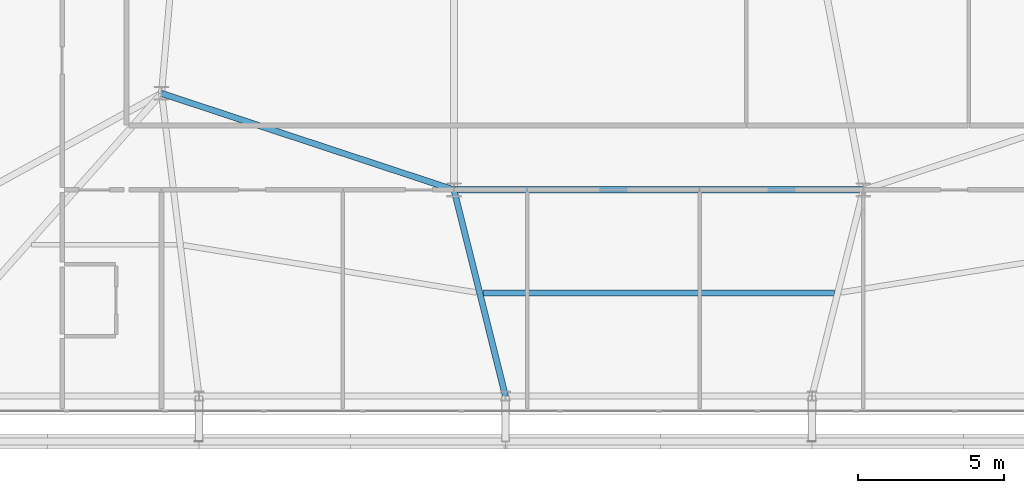
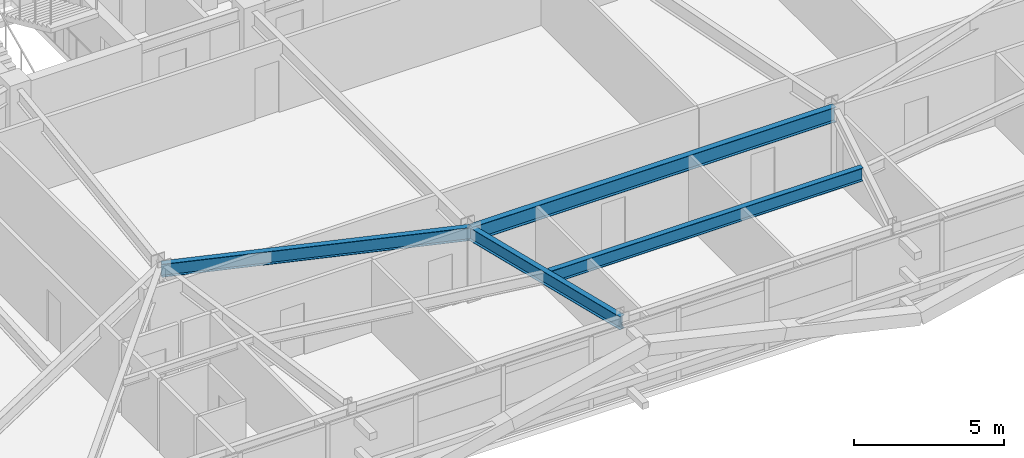
# One storey, part 13 of 58: 4 beams.
"""IFC4 building model written with IfcOpenShell, lengths in metres."""

import ifcopenshell
import ifcopenshell.guid

model = None  # the IFC model being written
_history = None  # IfcOwnerHistory: only IFC2X3 demands one
_inside = {}  # id of a spatial element -> (the spatial element, [elements in it])
_under = {}  # id of a project, library or spatial element -> (it, [spatial elements below it])
_declared = {}  # id of a project -> (the project, [libraries it declares])
_typed = {}  # id of a type object -> (the type object, [elements of that type])
_made_of = {}  # id of a material, layer set ... -> (it, [elements and type objects made of it])


def new_model(schema):
    """Start an empty IFC model of exactly this schema.

    Asked for "IFC4X3", IfcOpenShell would pick the latest addendum, in which some entities
    have other attributes; the version numbers below select the first issue.
    IFC2X3 requires an IfcOwnerHistory on every rooted entity: one is made here for all.
    """
    global model, _history
    if schema == "IFC4X3":
        model = ifcopenshell.file(schema_version=(4, 3, 0, 0))
    else:
        model = ifcopenshell.file(schema=schema)
    _inside.clear()
    _under.clear()
    _declared.clear()
    _typed.clear()
    _made_of.clear()
    _history = None
    if model.schema == "IFC2X3":
        org = make("IfcOrganization", Name="unknown")
        user = make(
            "IfcPersonAndOrganization",
            ThePerson=make("IfcPerson", FamilyName="unknown"),
            TheOrganization=org,
        )
        app = make(
            "IfcApplication",
            ApplicationDeveloper=org,
            Version="unknown",
            ApplicationFullName="unknown",
            ApplicationIdentifier="unknown",
        )
        _history = make(
            "IfcOwnerHistory",
            OwningUser=user,
            OwningApplication=app,
            ChangeAction="ADDED",
            CreationDate=0,
        )
    return model


def make(cls, **values):
    """One entity of the class cls with the attributes given. An attribute that is None is left unset."""
    return model.create_entity(
        cls, **{name: value for name, value in values.items() if value is not None}
    )


def rooted(cls, **values):
    """An entity with a GlobalId (a new one), such as an element, a storey or a relation."""
    return make(cls, GlobalId=ifcopenshell.guid.new(), OwnerHistory=_history, **values)


def si_unit(unit_type, name, prefix=None):
    """IfcSIUnit, for example si_unit("LENGTHUNIT", "METRE", prefix="MILLI")."""
    return make("IfcSIUnit", UnitType=unit_type, Prefix=prefix, Name=name)


def assignment(units):
    """IfcUnitAssignment: the units of a project."""
    return None if units is None else make("IfcUnitAssignment", Units=units)


def point(xyz):
    """IfcCartesianPoint."""
    return None if xyz is None else make("IfcCartesianPoint", Coordinates=xyz)


def direction(xyz):
    """IfcDirection."""
    return None if xyz is None else make("IfcDirection", DirectionRatios=xyz)


def frame(location, z_axis=None, x_axis=None):
    """IfcAxis2Placement3D, a coordinate frame: its origin and axes. An axis left out is left unset."""
    return make(
        "IfcAxis2Placement3D",
        Location=point(location),
        Axis=direction(z_axis),
        RefDirection=direction(x_axis),
    )


def frame_2d(location, x_axis=None):
    """IfcAxis2Placement2D, a coordinate frame in the plane: its origin and x axis."""
    return make(
        "IfcAxis2Placement2D", Location=point(location), RefDirection=direction(x_axis)
    )


def origin():
    """The frame at (0, 0, 0) with its axes left unset."""
    return frame((0.0, 0.0, 0.0))


def origin_2d():
    """The frame at (0, 0) in the plane with its x axis left unset."""
    return frame_2d((0.0, 0.0))


def place(relative_to, where):
    """IfcLocalPlacement: puts the frame where relative to a parent placement (None: the world)."""
    return make(
        "IfcLocalPlacement", PlacementRelTo=relative_to, RelativePlacement=where
    )


def context(
    kind, dimensions, precision=None, world=None, true_north=None, identifier=None
):
    """IfcGeometricRepresentationContext, for example the 3D "Model" context."""
    return make(
        "IfcGeometricRepresentationContext",
        ContextIdentifier=identifier,
        ContextType=kind,
        CoordinateSpaceDimension=dimensions,
        Precision=precision,
        WorldCoordinateSystem=world,
        TrueNorth=true_north,
    )


def subcontext(parent, identifier, kind, view, scale=None):
    """IfcGeometricRepresentationSubContext, for example "Body" below "Model"."""
    return make(
        "IfcGeometricRepresentationSubContext",
        ContextIdentifier=identifier,
        ContextType=kind,
        ParentContext=parent,
        TargetScale=scale,
        TargetView=view,
    )


def project(units=None, contexts=None):
    """IfcProject with its units and contexts."""
    return rooted(
        "IfcProject",
        Name="project",
        RepresentationContexts=contexts,
        UnitsInContext=assignment(units),
    )


def spatial(cls, under=None, at=None, **own):
    """A site, building, storey or space (cls), placed at a placement, below another one or the project."""
    s = rooted(cls, ObjectPlacement=at, **own)
    if under is not None:
        _under.setdefault(under.id(), (under, []))[1].append(s)
    return s


def profile(cls, at=None, kind="AREA", **sizes):
    """A parametric profile (cls). Its sizes go by their IFC names, for example OverallWidth=200.0."""
    return make(cls, ProfileType=kind, Position=at, **sizes)


def i_section(**sizes):
    """IfcIShapeProfileDef."""
    return profile("IfcIShapeProfileDef", **sizes)


def extrude(swept, where, along, depth):
    """IfcExtrudedAreaSolid: the profile swept, set in the frame where, extruded along a direction by depth."""
    return make(
        "IfcExtrudedAreaSolid",
        SweptArea=swept,
        Position=where,
        ExtrudedDirection=direction(along),
        Depth=depth,
    )


def shape(context_of_items, identifier, shape_type, items):
    """IfcShapeRepresentation: the items that make up one representation, for example the "Body"."""
    return make(
        "IfcShapeRepresentation",
        ContextOfItems=context_of_items,
        RepresentationIdentifier=identifier,
        RepresentationType=shape_type,
        Items=items,
    )


def source(mapping_origin, context_of_items, identifier, shape_type, items):
    """IfcRepresentationMap: a shape defined once, which mapped items show again and again."""
    return make(
        "IfcRepresentationMap",
        MappingOrigin=mapping_origin,
        MappedRepresentation=shape(context_of_items, identifier, shape_type, items),
    )


def transform(
    local_origin,
    x_axis=None,
    y_axis=None,
    z_axis=None,
    scale=None,
    scale2=None,
    scale3=None,
    uniform=True,
):
    """IfcCartesianTransformationOperator3D, or its non-uniform kind. x_axis, y_axis, z_axis: its Axis1, 2, 3."""
    if uniform:
        return make(
            "IfcCartesianTransformationOperator3D",
            Axis1=direction(x_axis),
            Axis2=direction(y_axis),
            LocalOrigin=point(local_origin),
            Scale=scale,
            Axis3=direction(z_axis),
        )
    return make(
        "IfcCartesianTransformationOperator3DnonUniform",
        Axis1=direction(x_axis),
        Axis2=direction(y_axis),
        LocalOrigin=point(local_origin),
        Scale=scale,
        Axis3=direction(z_axis),
        Scale2=scale2,
        Scale3=scale3,
    )


def mapped(mapping_source, mapping_target):
    """IfcMappedItem: shows the shape of a source again, moved by a transform."""
    return make(
        "IfcMappedItem", MappingSource=mapping_source, MappingTarget=mapping_target
    )


def material(Name=None, Category=None):
    """IfcMaterial."""
    return make("IfcMaterial", Name=Name, Category=Category)


def material_profile(
    of_material, cross_section, Name=None, Category=None, Priority=None
):
    """IfcMaterialProfile: a cross section and its material."""
    return make(
        "IfcMaterialProfile",
        Name=Name,
        Material=of_material,
        Profile=cross_section,
        Priority=Priority,
        Category=Category,
    )


def profile_set(profiles, Name=None, composite=None):
    """IfcMaterialProfileSet."""
    return make(
        "IfcMaterialProfileSet",
        Name=Name,
        MaterialProfiles=profiles,
        CompositeProfile=composite,
    )


def made_of(thing, what):
    """Note that an element or type object is made of a material, layer set ...; save() writes the relation."""
    if what is not None:
        _made_of.setdefault(what.id(), (what, []))[1].append(thing)
    return thing


def type_object(cls, material=None, **own):
    """A type object (cls), such as IfcWallType, which elements share."""
    return made_of(rooted(cls, **own), material)


def element(
    cls,
    number,
    at=None,
    inside=None,
    cuts=None,
    type_object=None,
    material=None,
    context=None,
    identifier="Body",
    shape_type=None,
    held_by="IfcProductDefinitionShape",
    body=None,
    shapes=None,
    **own,
):
    """One element of the class cls, such as IfcWall. Its Tag is "e" and its number.

    at: its placement. inside: the storey or other place that contains it. cuts: it is an
    opening in that element (IfcRelVoidsElement). A single representation is given by context,
    identifier, shape_type and body (its items); several are given by shapes. held_by: the class
    of the entity that holds the representations. save() writes the other relations.
    """
    e = rooted(cls, Tag="e%d" % number, ObjectPlacement=at, **own)
    if body is not None:
        shapes = [shape(context, identifier, shape_type, body)]
    if shapes is not None:
        e.Representation = make(held_by, Representations=shapes)
    if inside is not None:
        _inside.setdefault(inside.id(), (inside, []))[1].append(e)
    if cuts is not None:
        rooted(
            "IfcRelVoidsElement", RelatingBuildingElement=cuts, RelatedOpeningElement=e
        )
    if type_object is not None:
        _typed.setdefault(type_object.id(), (type_object, []))[1].append(e)
    return made_of(e, material)


def aggregate(whole, parts):
    """IfcRelAggregates: a whole, such as a stair, and the parts it consists of."""
    return rooted("IfcRelAggregates", RelatingObject=whole, RelatedObjects=parts)


def save(model, path):
    """Write the relations noted so far, then the file.

    IfcRelAggregates (storeys below a building ...), IfcRelContainedInSpatialStructure (elements
    in a storey), IfcRelDefinesByType, IfcRelAssociatesMaterial and IfcRelDeclares: one each for
    every whole, place, type object, material and project.
    """
    for whole, parts in _under.values():
        aggregate(whole, parts)
    for where, things in _inside.values():
        rooted(
            "IfcRelContainedInSpatialStructure",
            RelatedElements=things,
            RelatingStructure=where,
        )
    for kind, things in _typed.values():
        rooted("IfcRelDefinesByType", RelatedObjects=things, RelatingType=kind)
    for what, things in _made_of.values():
        rooted("IfcRelAssociatesMaterial", RelatedObjects=things, RelatingMaterial=what)
    for by, libraries in _declared.values():
        rooted("IfcRelDeclares", RelatingContext=by, RelatedDefinitions=libraries)
    model.write(path)


model = new_model("IFC4")

# Units and contexts
model_context = context("Model", 3, precision=1e-05, world=origin(), true_north=direction((0.0, 1.0)))
body_context = subcontext(model_context, "Body", "Model", "MODEL_VIEW")
ifc_project = project(units=[si_unit("LENGTHUNIT", "METRE"), si_unit("AREAUNIT", "SQUARE_METRE"), si_unit("VOLUMEUNIT", "CUBIC_METRE"), si_unit("PLANEANGLEUNIT", "RADIAN"), si_unit("MASSUNIT", "GRAM", prefix="KILO")], contexts=[model_context])

# Site, building, storey
site_placement = place(None, origin())
site = spatial("IfcSite", under=ifc_project, at=site_placement, CompositionType="ELEMENT")
building_placement = place(site_placement, origin())
building = spatial("IfcBuilding", under=site, at=building_placement, Name="Taldren Reach Tower", CompositionType="ELEMENT")
storey_placement = place(building_placement, frame((0.0, 0.0, 51.449951171875)))
storey = spatial("IfcBuildingStorey", under=building, at=storey_placement, Name="L15", CompositionType="ELEMENT", Elevation=51.449951171875)

# Beams
ifc_material = material(Name="Steel Gr 350 (350PLUS)", Category="steel")
ifc_material_profile_1 = material_profile(ifc_material, i_section(OverallWidth=0.208984375, OverallDepth=0.532958984375, WebThickness=0.01025390625, FlangeThickness=0.015625, at=origin_2d()), Name="530UB92.4")
ifc_profile_set_1 = profile_set([ifc_material_profile_1], Name="Steel Gr 350 (350PLUS)")
beam_type_1 = type_object("IfcBeamType", Name="BM-UB530A", PredefinedType="BEAM", material=ifc_profile_set_1)
shared_shape_1 = source(origin(), body_context, "Body", "SweptSolid", [
    extrude(i_section(OverallWidth=0.208984375, OverallDepth=0.532958984375, WebThickness=0.01025390625, FlangeThickness=0.015625, at=origin_2d()), origin(), (0.0, 0.0, 1.0), 10.530517578125),
])
beam_1_placement = place(storey_placement, frame((18.0, 12.5, 2.66357421875), z_axis=(0.949627269203, -0.313381635689, 0.0), x_axis=(0.313381635689, 0.949627269203, 0.0)))
element("IfcBeam", 1, at=beam_1_placement, inside=storey, type_object=beam_type_1, Name="Core-spine girder L15-SP10", PredefinedType="BEAM", context=body_context, shape_type="MappedRepresentation", body=[
    mapped(shared_shape_1, transform((0.0, 0.0, 0.0), scale=1.0)),
])
ifc_material_profile_2 = material_profile(ifc_material, i_section(OverallWidth=0.22802734375, OverallDepth=0.60205078125, WebThickness=0.010498046875, FlangeThickness=0.014892578125, at=origin_2d()), Name="610UB101")
ifc_profile_set_2 = profile_set([ifc_material_profile_2], Name="Steel Gr 350 (350PLUS)")
beam_type_2 = type_object("IfcBeamType", Name="BM-UB610B", PredefinedType="BEAM", material=ifc_profile_set_2)
shared_shape_2 = source(origin(), body_context, "Body", "SweptSolid", [
    extrude(i_section(OverallWidth=0.22802734375, OverallDepth=0.60205078125, WebThickness=0.010498046875, FlangeThickness=0.014892578125, at=origin_2d()), origin(), (0.0, 0.0, 1.0), 14.0),
])
beam_2_placement = place(storey_placement, frame((28.0, 9.199951171875, 2.629150390625), z_axis=(1.0, 0.0, 0.0), x_axis=(0.0, 1.0, 0.0)))
element("IfcBeam", 2, at=beam_2_placement, inside=storey, type_object=beam_type_2, Name="Core-spine girder L15-SP11", PredefinedType="BEAM", context=body_context, shape_type="MappedRepresentation", body=[
    mapped(shared_shape_2, transform((0.0, 0.0, 0.0), scale=1.0)),
])
shared_shape_3 = source(origin(), body_context, "Body", "SweptSolid", [
    extrude(i_section(OverallWidth=0.208984375, OverallDepth=0.532958984375, WebThickness=0.01025390625, FlangeThickness=0.015625, at=origin_2d()), origin(), (0.0, 0.0, 1.0), 7.266357421875),
])
beam_3_placement = place(storey_placement, frame((28.0, 9.199951171875, 2.66357421875), z_axis=(0.24221148493, -0.970223477642, 0.0), x_axis=(0.970223477642, 0.24221148493, 0.0)))
element("IfcBeam", 3, at=beam_3_placement, inside=storey, type_object=beam_type_1, Name="Primary floor girder B1-S3 L15", PredefinedType="BEAM", context=body_context, shape_type="MappedRepresentation", body=[
    mapped(shared_shape_3, transform((0.0, 0.0, 0.0), scale=1.0)),
])
shared_shape_4 = source(origin(), body_context, "Body", "SweptSolid", [
    extrude(i_section(OverallWidth=0.208984375, OverallDepth=0.532958984375, WebThickness=0.01025390625, FlangeThickness=0.015625, at=origin_2d()), origin(), (0.0, 0.0, 1.0), 12.0244140625),
])
beam_4_placement = place(storey_placement, frame((28.98779296875, 5.675048828125, 2.66357421875), z_axis=(1.0, 0.0, 0.0), x_axis=(0.0, 1.0, 0.0)))
element("IfcBeam", 4, at=beam_4_placement, inside=storey, type_object=beam_type_1, Name="Secondary floor beam B1 J3 L15", PredefinedType="BEAM", context=body_context, shape_type="MappedRepresentation", body=[
    mapped(shared_shape_4, transform((0.0, 0.0, 0.0), scale=1.0)),
])

save(model, "model.ifc")
